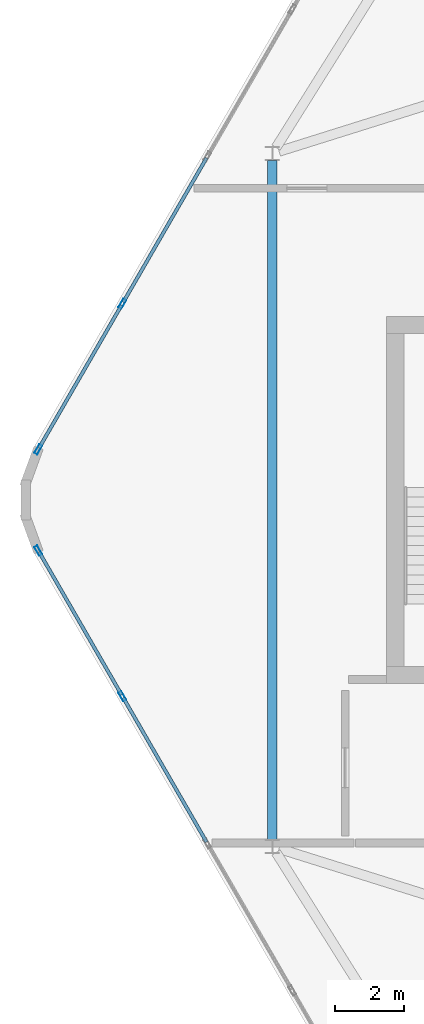
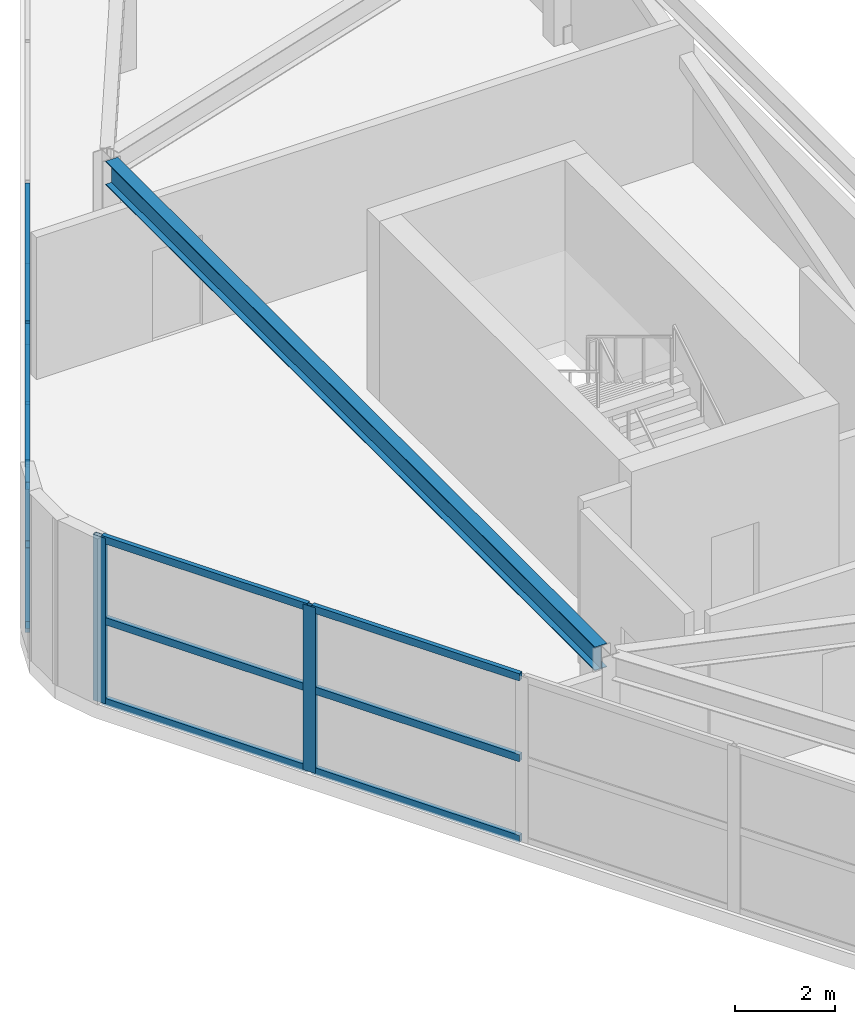
# One storey, part 5 of 16: 16 members, 1 beam, 2 elements without a shape of their own.
"""IFC4 building model written with IfcOpenShell, lengths in metres."""

from ifc_helpers import new_model, si_unit, direction, frame, origin, origin_2d, place, context, subcontext, project, spatial, hollow_rectangle, i_section, extrude, material, material_profile, profile_set, type_object, element, aggregate, save


model = new_model("IFC4")

# Units and contexts
model_context = context("Model", 3, precision=1e-05, world=origin(), true_north=direction((0.0, 1.0)))
body_context = subcontext(model_context, "Body", "Model", "MODEL_VIEW")
ifc_project = project(units=[si_unit("LENGTHUNIT", "METRE"), si_unit("AREAUNIT", "SQUARE_METRE"), si_unit("VOLUMEUNIT", "CUBIC_METRE"), si_unit("PLANEANGLEUNIT", "RADIAN"), si_unit("MASSUNIT", "GRAM", prefix="KILO")], contexts=[model_context])

# Site, building, storey
site_placement = place(None, origin())
site = spatial("IfcSite", under=ifc_project, at=site_placement, CompositionType="ELEMENT")
building_placement = place(site_placement, origin())
building = spatial("IfcBuilding", under=site, at=building_placement, Name="Zuhravey Tower", CompositionType="ELEMENT")
storey_placement = place(building_placement, frame((0.0, 0.0, 374.60009765625)))
storey = spatial("IfcBuildingStorey", under=building, at=storey_placement, Name="L95", CompositionType="ELEMENT", Elevation=374.60009765625)

# Curtain wall, members
ifc_material_1 = material(Name="Thermally broken anodised aluminium", Category="aluminium")
curtain_wall_type = type_object("IfcCurtainWallType", Name="Split-Top Crown Screened Curtain Wall CW6", PredefinedType="NOTDEFINED", material=ifc_material_1)
curtain_wall_1_placement = place(storey_placement, origin())
curtain_wall_1 = element("IfcCurtainWall", 1, at=curtain_wall_1_placement, inside=storey, type_object=curtain_wall_type, Name="L95 CW6 CW6-L95-WEST-04", PredefinedType="NOTDEFINED")
ifc_material_2 = material(Name="Anodised aluminium", Category="aluminium")
ifc_material_profile_1 = material_profile(ifc_material_2, hollow_rectangle(XDim=0.10009765625, YDim=0.2900390625, WallThickness=0.006103515625, at=origin_2d()), Name="ALU-RHS-100x290x6")
ifc_profile_set_1 = profile_set([ifc_material_profile_1], Name="Anodised aluminium")
member_type_1 = type_object("IfcMemberType", Name="Heavy Tall-Storey Mullion 100x220", PredefinedType="MULLION", material=ifc_profile_set_1)
member_1_placement = place(storey_placement, frame((11.471923828125, 26.3359375, 0.0), z_axis=(0.0, 0.0, 1.0), x_axis=(-0.866027063754, -0.499997124838, 0.0)))
member_1 = element("IfcMember", 2, at=member_1_placement, type_object=member_type_1, Name="CW6 mullion 5", PredefinedType="MULLION", context=body_context, shape_type="SweptSolid", body=[
    extrude(hollow_rectangle(XDim=0.10009765625, YDim=0.2900390625, WallThickness=0.006103515625, at=origin_2d()), origin(), (0.0, 0.0, 1.0), 4.0498046875),
])
member_2_placement = place(storey_placement, frame((9.0439453125, 30.541015625, 0.0), z_axis=(0.0, 0.0, 1.0), x_axis=(-0.866027063754, -0.499997124838, 0.0)))
member_2 = element("IfcMember", 3, at=member_2_placement, type_object=member_type_1, Name="CW6 mullion 6", PredefinedType="MULLION", context=body_context, shape_type="SweptSolid", body=[
    extrude(hollow_rectangle(XDim=0.10009765625, YDim=0.2900390625, WallThickness=0.006103515625, at=origin_2d()), origin(), (0.0, 0.0, 1.0), 4.0498046875),
])

curtain_wall_2_placement = place(storey_placement, origin())
curtain_wall_2 = element("IfcCurtainWall", 4, at=curtain_wall_2_placement, inside=storey, type_object=curtain_wall_type, Name="L95 CW6 CW6-L95-WEST-08", PredefinedType="NOTDEFINED")
member_3_placement = place(storey_placement, frame((9.0439453125, 33.458984375, 0.0), z_axis=(0.0, 0.0, 1.0), x_axis=(-0.866027063754, 0.499997124838, 0.0)))
member_3 = element("IfcMember", 5, at=member_3_placement, type_object=member_type_1, Name="CW6 mullion 1", PredefinedType="MULLION", context=body_context, shape_type="SweptSolid", body=[
    extrude(hollow_rectangle(XDim=0.10009765625, YDim=0.2900390625, WallThickness=0.006103515625, at=origin_2d()), origin(), (0.0, 0.0, 1.0), 4.0498046875),
])
member_4_placement = place(storey_placement, frame((11.471923828125, 37.6640625, 0.0), z_axis=(0.0, 0.0, 1.0), x_axis=(-0.866027063754, 0.499997124838, 0.0)))
member_4 = element("IfcMember", 6, at=member_4_placement, type_object=member_type_1, Name="CW6 mullion 2", PredefinedType="MULLION", context=body_context, shape_type="SweptSolid", body=[
    extrude(hollow_rectangle(XDim=0.10009765625, YDim=0.2900390625, WallThickness=0.006103515625, at=origin_2d()), origin(), (0.0, 0.0, 1.0), 4.0498046875),
])

# Beam
ifc_material_3 = material(Name="Steel SM355", Category="steel")
ifc_material_profile_2 = material_profile(ifc_material_3, i_section(OverallWidth=0.280029296875, OverallDepth=0.580078125, WebThickness=0.011962890625, FlangeThickness=0.01904296875, at=origin_2d()), Name="H-580x280x12x19")
ifc_profile_set_2 = profile_set([ifc_material_profile_2], Name="Steel SM355")
beam_type = type_object("IfcBeamType", Name="Perimeter Ring Beam H580x280", PredefinedType="BEAM", material=ifc_profile_set_2)
beam_placement = place(storey_placement, frame((15.800048828125, 22.2041015625, 3.760009765625), z_axis=(0.0, 1.0, 0.0), x_axis=(-1.0, 0.0, 0.0)))
element("IfcBeam", 7, at=beam_placement, inside=storey, type_object=beam_type, Name="L95 PB4 BM-L95-WCR-0-1", PredefinedType="BEAM", context=body_context, shape_type="SweptSolid", body=[
    extrude(i_section(OverallWidth=0.280029296875, OverallDepth=0.580078125, WebThickness=0.011962890625, FlangeThickness=0.01904296875, at=origin_2d()), origin(), (0.0, 0.0, 1.0), 19.591796875),
])

# Member
ifc_material_profile_3 = material_profile(ifc_material_2, hollow_rectangle(XDim=0.10009765625, YDim=0.179931640625, WallThickness=0.006103515625, at=origin_2d()), Name="ALU-RHS-100x180x6")
ifc_profile_set_3 = profile_set([ifc_material_profile_3], Name="Anodised aluminium")
member_type_2 = type_object("IfcMemberType", Name="Tall-Storey Transom 100x180", PredefinedType="USERDEFINED", material=ifc_profile_set_3)
member_5_placement = place(storey_placement, frame((13.89990234375, 22.130615234375, 0.0498046875), z_axis=(-0.50003466983, 0.866005386223, 0.0), x_axis=(-0.866005386223, -0.50003466983, 0.0)))
member_5 = element("IfcMember", 8, at=member_5_placement, type_object=member_type_2, Name="CW6 transom 4.1", ObjectType="TRANSOM", PredefinedType="USERDEFINED", context=body_context, shape_type="SweptSolid", body=[
    extrude(hollow_rectangle(XDim=0.10009765625, YDim=0.179931640625, WallThickness=0.006103515625, at=origin_2d()), origin(), (0.0, 0.0, 1.0), 4.805908203125),
])

member_6_placement = place(storey_placement, frame((13.89990234375, 22.130615234375, 2.02490234375), z_axis=(-0.50003466983, 0.866005386223, 0.0), x_axis=(-0.866005386223, -0.50003466983, 0.0)))
member_6 = element("IfcMember", 9, at=member_6_placement, type_object=member_type_2, Name="CW6 transom 4.2", ObjectType="TRANSOM", PredefinedType="USERDEFINED", context=body_context, shape_type="SweptSolid", body=[
    extrude(hollow_rectangle(XDim=0.10009765625, YDim=0.179931640625, WallThickness=0.006103515625, at=origin_2d()), origin(), (0.0, 0.0, 1.0), 4.805908203125),
])

member_7_placement = place(storey_placement, frame((13.89990234375, 22.130615234375, 4.0), z_axis=(-0.50003466983, 0.866005386223, 0.0), x_axis=(-0.866005386223, -0.50003466983, 0.0)))
member_7 = element("IfcMember", 10, at=member_7_placement, type_object=member_type_2, Name="CW6 transom 4.3", ObjectType="TRANSOM", PredefinedType="USERDEFINED", context=body_context, shape_type="SweptSolid", body=[
    extrude(hollow_rectangle(XDim=0.10009765625, YDim=0.179931640625, WallThickness=0.006103515625, at=origin_2d()), origin(), (0.0, 0.0, 1.0), 4.805908203125),
])

member_8_placement = place(storey_placement, frame((11.447021484375, 26.379150390625, 0.0498046875), z_axis=(-0.500003887042, 0.866023159588, 0.0), x_axis=(-0.866023159588, -0.500003887042, 0.0)))
member_8 = element("IfcMember", 11, at=member_8_placement, type_object=member_type_2, Name="CW6 transom 5.1", ObjectType="TRANSOM", PredefinedType="USERDEFINED", context=body_context, shape_type="SweptSolid", body=[
    extrude(hollow_rectangle(XDim=0.10009765625, YDim=0.179931640625, WallThickness=0.006103515625, at=origin_2d()), origin(), (0.0, 0.0, 1.0), 4.755859375),
])

member_9_placement = place(storey_placement, frame((11.447021484375, 26.379150390625, 2.02490234375), z_axis=(-0.500003887042, 0.866023159588, 0.0), x_axis=(-0.866023159588, -0.500003887042, 0.0)))
member_9 = element("IfcMember", 12, at=member_9_placement, type_object=member_type_2, Name="CW6 transom 5.2", ObjectType="TRANSOM", PredefinedType="USERDEFINED", context=body_context, shape_type="SweptSolid", body=[
    extrude(hollow_rectangle(XDim=0.10009765625, YDim=0.179931640625, WallThickness=0.006103515625, at=origin_2d()), origin(), (0.0, 0.0, 1.0), 4.755859375),
])

member_10_placement = place(storey_placement, frame((11.447021484375, 26.379150390625, 4.0), z_axis=(-0.500003887042, 0.866023159588, 0.0), x_axis=(-0.866023159588, -0.500003887042, 0.0)))
member_10 = element("IfcMember", 13, at=member_10_placement, type_object=member_type_2, Name="CW6 transom 5.3", ObjectType="TRANSOM", PredefinedType="USERDEFINED", context=body_context, shape_type="SweptSolid", body=[
    extrude(hollow_rectangle(XDim=0.10009765625, YDim=0.179931640625, WallThickness=0.006103515625, at=origin_2d()), origin(), (0.0, 0.0, 1.0), 4.755859375),
])

aggregate(curtain_wall_1, [member_1, member_2, member_5, member_6, member_7, member_8, member_9, member_10])

member_11_placement = place(storey_placement, frame((9.069091796875, 33.502197265625, 0.0498046875), z_axis=(0.500003887042, 0.866023159588, 0.0), x_axis=(-0.866023159588, 0.500003887042, 0.0)))
member_11 = element("IfcMember", 14, at=member_11_placement, type_object=member_type_2, Name="CW6 transom 1.1", ObjectType="TRANSOM", PredefinedType="USERDEFINED", context=body_context, shape_type="SweptSolid", body=[
    extrude(hollow_rectangle(XDim=0.10009765625, YDim=0.179931640625, WallThickness=0.006103515625, at=origin_2d()), origin(), (0.0, 0.0, 1.0), 4.755859375),
])

member_12_placement = place(storey_placement, frame((9.069091796875, 33.502197265625, 2.02490234375), z_axis=(0.500003887042, 0.866023159588, 0.0), x_axis=(-0.866023159588, 0.500003887042, 0.0)))
member_12 = element("IfcMember", 15, at=member_12_placement, type_object=member_type_2, Name="CW6 transom 1.2", ObjectType="TRANSOM", PredefinedType="USERDEFINED", context=body_context, shape_type="SweptSolid", body=[
    extrude(hollow_rectangle(XDim=0.10009765625, YDim=0.179931640625, WallThickness=0.006103515625, at=origin_2d()), origin(), (0.0, 0.0, 1.0), 4.755859375),
])

member_13_placement = place(storey_placement, frame((9.069091796875, 33.502197265625, 4.0), z_axis=(0.500003887042, 0.866023159588, 0.0), x_axis=(-0.866023159588, 0.500003887042, 0.0)))
member_13 = element("IfcMember", 16, at=member_13_placement, type_object=member_type_2, Name="CW6 transom 1.3", ObjectType="TRANSOM", PredefinedType="USERDEFINED", context=body_context, shape_type="SweptSolid", body=[
    extrude(hollow_rectangle(XDim=0.10009765625, YDim=0.179931640625, WallThickness=0.006103515625, at=origin_2d()), origin(), (0.0, 0.0, 1.0), 4.755859375),
])

member_14_placement = place(storey_placement, frame((11.496826171875, 37.70751953125, 0.0498046875), z_axis=(0.50003466983, 0.866005386223, 0.0), x_axis=(-0.866005386223, 0.50003466983, 0.0)))
member_14 = element("IfcMember", 17, at=member_14_placement, type_object=member_type_2, Name="CW6 transom 2.1", ObjectType="TRANSOM", PredefinedType="USERDEFINED", context=body_context, shape_type="SweptSolid", body=[
    extrude(hollow_rectangle(XDim=0.10009765625, YDim=0.179931640625, WallThickness=0.006103515625, at=origin_2d()), origin(), (0.0, 0.0, 1.0), 4.805908203125),
])

member_15_placement = place(storey_placement, frame((11.496826171875, 37.70751953125, 2.02490234375), z_axis=(0.50003466983, 0.866005386223, 0.0), x_axis=(-0.866005386223, 0.50003466983, 0.0)))
member_15 = element("IfcMember", 18, at=member_15_placement, type_object=member_type_2, Name="CW6 transom 2.2", ObjectType="TRANSOM", PredefinedType="USERDEFINED", context=body_context, shape_type="SweptSolid", body=[
    extrude(hollow_rectangle(XDim=0.10009765625, YDim=0.179931640625, WallThickness=0.006103515625, at=origin_2d()), origin(), (0.0, 0.0, 1.0), 4.805908203125),
])

member_16_placement = place(storey_placement, frame((11.496826171875, 37.70751953125, 4.0), z_axis=(0.50003466983, 0.866005386223, 0.0), x_axis=(-0.866005386223, 0.50003466983, 0.0)))
member_16 = element("IfcMember", 19, at=member_16_placement, type_object=member_type_2, Name="CW6 transom 2.3", ObjectType="TRANSOM", PredefinedType="USERDEFINED", context=body_context, shape_type="SweptSolid", body=[
    extrude(hollow_rectangle(XDim=0.10009765625, YDim=0.179931640625, WallThickness=0.006103515625, at=origin_2d()), origin(), (0.0, 0.0, 1.0), 4.805908203125),
])

aggregate(curtain_wall_2, [member_3, member_4, member_11, member_12, member_13, member_14, member_15, member_16])

save(model, "model.ifc")
